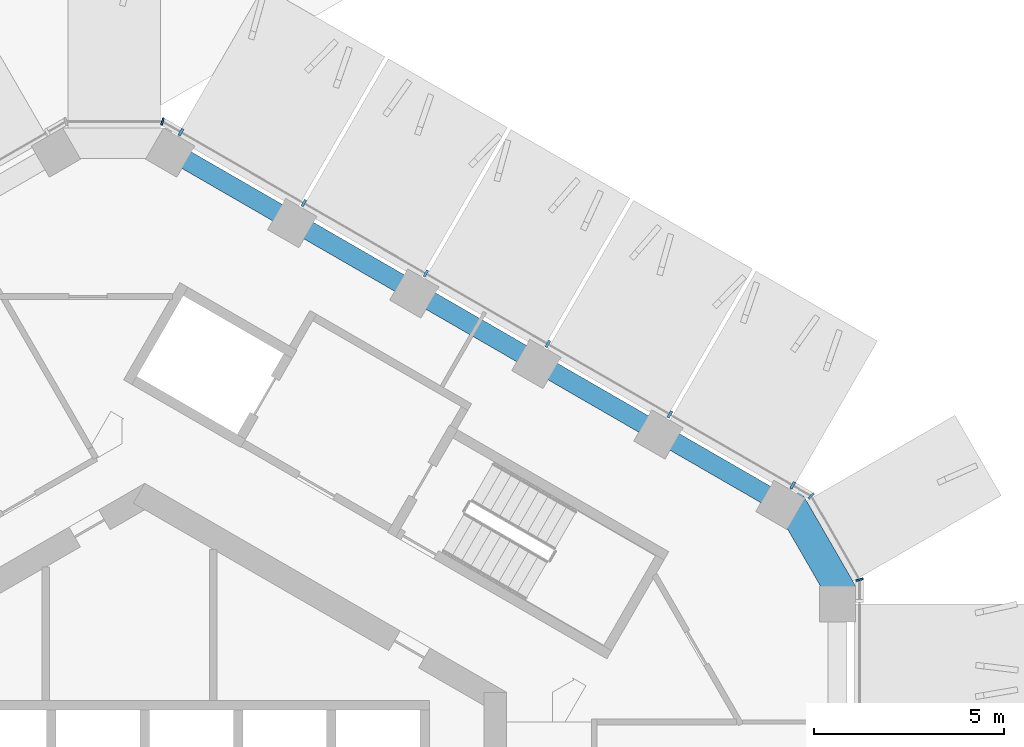
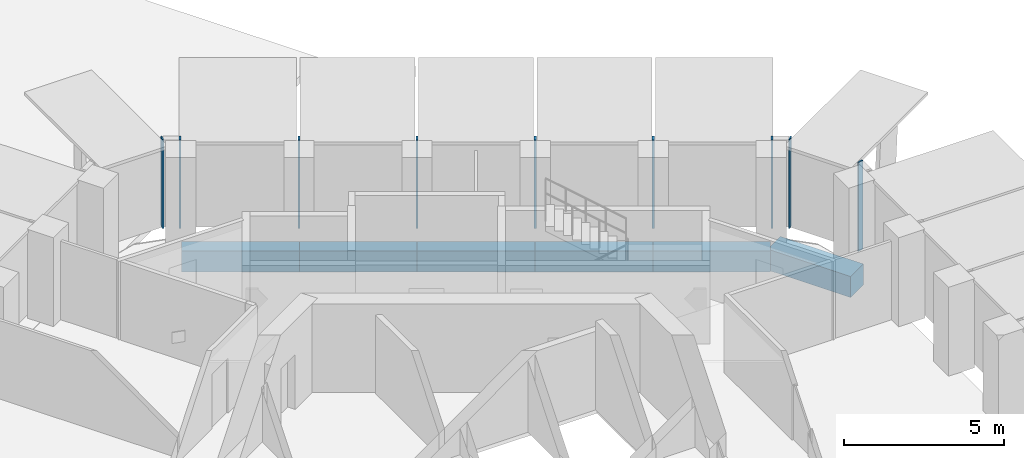
# One storey, part 5 of 23: 9 members, 6 beams, 3 elements without a shape of their own.
"""IFC4 building model written with IfcOpenShell, lengths in metres."""

import ifcopenshell
import ifcopenshell.guid

model = None  # the IFC model being written
_history = None  # IfcOwnerHistory: only IFC2X3 demands one
_inside = {}  # id of a spatial element -> (the spatial element, [elements in it])
_under = {}  # id of a project, library or spatial element -> (it, [spatial elements below it])
_declared = {}  # id of a project -> (the project, [libraries it declares])
_typed = {}  # id of a type object -> (the type object, [elements of that type])
_made_of = {}  # id of a material, layer set ... -> (it, [elements and type objects made of it])


def new_model(schema):
    """Start an empty IFC model of exactly this schema.

    Asked for "IFC4X3", IfcOpenShell would pick the latest addendum, in which some entities
    have other attributes; the version numbers below select the first issue.
    IFC2X3 requires an IfcOwnerHistory on every rooted entity: one is made here for all.
    """
    global model, _history
    if schema == "IFC4X3":
        model = ifcopenshell.file(schema_version=(4, 3, 0, 0))
    else:
        model = ifcopenshell.file(schema=schema)
    _inside.clear()
    _under.clear()
    _declared.clear()
    _typed.clear()
    _made_of.clear()
    _history = None
    if model.schema == "IFC2X3":
        org = make("IfcOrganization", Name="unknown")
        user = make(
            "IfcPersonAndOrganization",
            ThePerson=make("IfcPerson", FamilyName="unknown"),
            TheOrganization=org,
        )
        app = make(
            "IfcApplication",
            ApplicationDeveloper=org,
            Version="unknown",
            ApplicationFullName="unknown",
            ApplicationIdentifier="unknown",
        )
        _history = make(
            "IfcOwnerHistory",
            OwningUser=user,
            OwningApplication=app,
            ChangeAction="ADDED",
            CreationDate=0,
        )
    return model


def make(cls, **values):
    """One entity of the class cls with the attributes given. An attribute that is None is left unset."""
    return model.create_entity(
        cls, **{name: value for name, value in values.items() if value is not None}
    )


def rooted(cls, **values):
    """An entity with a GlobalId (a new one), such as an element, a storey or a relation."""
    return make(cls, GlobalId=ifcopenshell.guid.new(), OwnerHistory=_history, **values)


def si_unit(unit_type, name, prefix=None):
    """IfcSIUnit, for example si_unit("LENGTHUNIT", "METRE", prefix="MILLI")."""
    return make("IfcSIUnit", UnitType=unit_type, Prefix=prefix, Name=name)


def assignment(units):
    """IfcUnitAssignment: the units of a project."""
    return None if units is None else make("IfcUnitAssignment", Units=units)


def point(xyz):
    """IfcCartesianPoint."""
    return None if xyz is None else make("IfcCartesianPoint", Coordinates=xyz)


def direction(xyz):
    """IfcDirection."""
    return None if xyz is None else make("IfcDirection", DirectionRatios=xyz)


def frame(location, z_axis=None, x_axis=None):
    """IfcAxis2Placement3D, a coordinate frame: its origin and axes. An axis left out is left unset."""
    return make(
        "IfcAxis2Placement3D",
        Location=point(location),
        Axis=direction(z_axis),
        RefDirection=direction(x_axis),
    )


def frame_2d(location, x_axis=None):
    """IfcAxis2Placement2D, a coordinate frame in the plane: its origin and x axis."""
    return make(
        "IfcAxis2Placement2D", Location=point(location), RefDirection=direction(x_axis)
    )


def origin():
    """The frame at (0, 0, 0) with its axes left unset."""
    return frame((0.0, 0.0, 0.0))


def origin_2d():
    """The frame at (0, 0) in the plane with its x axis left unset."""
    return frame_2d((0.0, 0.0))


def place(relative_to, where):
    """IfcLocalPlacement: puts the frame where relative to a parent placement (None: the world)."""
    return make(
        "IfcLocalPlacement", PlacementRelTo=relative_to, RelativePlacement=where
    )


def context(
    kind, dimensions, precision=None, world=None, true_north=None, identifier=None
):
    """IfcGeometricRepresentationContext, for example the 3D "Model" context."""
    return make(
        "IfcGeometricRepresentationContext",
        ContextIdentifier=identifier,
        ContextType=kind,
        CoordinateSpaceDimension=dimensions,
        Precision=precision,
        WorldCoordinateSystem=world,
        TrueNorth=true_north,
    )


def subcontext(parent, identifier, kind, view, scale=None):
    """IfcGeometricRepresentationSubContext, for example "Body" below "Model"."""
    return make(
        "IfcGeometricRepresentationSubContext",
        ContextIdentifier=identifier,
        ContextType=kind,
        ParentContext=parent,
        TargetScale=scale,
        TargetView=view,
    )


def project(units=None, contexts=None):
    """IfcProject with its units and contexts."""
    return rooted(
        "IfcProject",
        Name="project",
        RepresentationContexts=contexts,
        UnitsInContext=assignment(units),
    )


def spatial(cls, under=None, at=None, **own):
    """A site, building, storey or space (cls), placed at a placement, below another one or the project."""
    s = rooted(cls, ObjectPlacement=at, **own)
    if under is not None:
        _under.setdefault(under.id(), (under, []))[1].append(s)
    return s


def profile(cls, at=None, kind="AREA", **sizes):
    """A parametric profile (cls). Its sizes go by their IFC names, for example OverallWidth=200.0."""
    return make(cls, ProfileType=kind, Position=at, **sizes)


def rectangle(**sizes):
    """IfcRectangleProfileDef."""
    return profile("IfcRectangleProfileDef", **sizes)


def extrude(swept, where, along, depth):
    """IfcExtrudedAreaSolid: the profile swept, set in the frame where, extruded along a direction by depth."""
    return make(
        "IfcExtrudedAreaSolid",
        SweptArea=swept,
        Position=where,
        ExtrudedDirection=direction(along),
        Depth=depth,
    )


def shape(context_of_items, identifier, shape_type, items):
    """IfcShapeRepresentation: the items that make up one representation, for example the "Body"."""
    return make(
        "IfcShapeRepresentation",
        ContextOfItems=context_of_items,
        RepresentationIdentifier=identifier,
        RepresentationType=shape_type,
        Items=items,
    )


def material(Name=None, Category=None):
    """IfcMaterial."""
    return make("IfcMaterial", Name=Name, Category=Category)


def layer(
    of_material, thickness, ventilated=None, Name=None, Category=None, Priority=None
):
    """IfcMaterialLayer: one layer of a wall or slab, of a material (None: an air gap)."""
    return make(
        "IfcMaterialLayer",
        Material=of_material,
        LayerThickness=thickness,
        IsVentilated=ventilated,
        Name=Name,
        Category=Category,
        Priority=Priority,
    )


def layer_set(layers, Name=None):
    """IfcMaterialLayerSet."""
    return make("IfcMaterialLayerSet", MaterialLayers=layers, LayerSetName=Name)


def material_profile(
    of_material, cross_section, Name=None, Category=None, Priority=None
):
    """IfcMaterialProfile: a cross section and its material."""
    return make(
        "IfcMaterialProfile",
        Name=Name,
        Material=of_material,
        Profile=cross_section,
        Priority=Priority,
        Category=Category,
    )


def profile_set(profiles, Name=None, composite=None):
    """IfcMaterialProfileSet."""
    return make(
        "IfcMaterialProfileSet",
        Name=Name,
        MaterialProfiles=profiles,
        CompositeProfile=composite,
    )


def made_of(thing, what):
    """Note that an element or type object is made of a material, layer set ...; save() writes the relation."""
    if what is not None:
        _made_of.setdefault(what.id(), (what, []))[1].append(thing)
    return thing


def type_object(cls, material=None, **own):
    """A type object (cls), such as IfcWallType, which elements share."""
    return made_of(rooted(cls, **own), material)


def element(
    cls,
    number,
    at=None,
    inside=None,
    cuts=None,
    type_object=None,
    material=None,
    context=None,
    identifier="Body",
    shape_type=None,
    held_by="IfcProductDefinitionShape",
    body=None,
    shapes=None,
    **own,
):
    """One element of the class cls, such as IfcWall. Its Tag is "e" and its number.

    at: its placement. inside: the storey or other place that contains it. cuts: it is an
    opening in that element (IfcRelVoidsElement). A single representation is given by context,
    identifier, shape_type and body (its items); several are given by shapes. held_by: the class
    of the entity that holds the representations. save() writes the other relations.
    """
    e = rooted(cls, Tag="e%d" % number, ObjectPlacement=at, **own)
    if body is not None:
        shapes = [shape(context, identifier, shape_type, body)]
    if shapes is not None:
        e.Representation = make(held_by, Representations=shapes)
    if inside is not None:
        _inside.setdefault(inside.id(), (inside, []))[1].append(e)
    if cuts is not None:
        rooted(
            "IfcRelVoidsElement", RelatingBuildingElement=cuts, RelatedOpeningElement=e
        )
    if type_object is not None:
        _typed.setdefault(type_object.id(), (type_object, []))[1].append(e)
    return made_of(e, material)


def aggregate(whole, parts):
    """IfcRelAggregates: a whole, such as a stair, and the parts it consists of."""
    return rooted("IfcRelAggregates", RelatingObject=whole, RelatedObjects=parts)


def save(model, path):
    """Write the relations noted so far, then the file.

    IfcRelAggregates (storeys below a building ...), IfcRelContainedInSpatialStructure (elements
    in a storey), IfcRelDefinesByType, IfcRelAssociatesMaterial and IfcRelDeclares: one each for
    every whole, place, type object, material and project.
    """
    for whole, parts in _under.values():
        aggregate(whole, parts)
    for where, things in _inside.values():
        rooted(
            "IfcRelContainedInSpatialStructure",
            RelatedElements=things,
            RelatingStructure=where,
        )
    for kind, things in _typed.values():
        rooted("IfcRelDefinesByType", RelatedObjects=things, RelatingType=kind)
    for what, things in _made_of.values():
        rooted("IfcRelAssociatesMaterial", RelatedObjects=things, RelatingMaterial=what)
    for by, libraries in _declared.values():
        rooted("IfcRelDeclares", RelatingContext=by, RelatedDefinitions=libraries)
    model.write(path)


model = new_model("IFC4")

# Units and contexts
model_context = context("Model", 3, precision=1e-05, world=origin(), true_north=direction((0.0, 1.0)))
body_context = subcontext(model_context, "Body", "Model", "MODEL_VIEW")
ifc_project = project(units=[si_unit("LENGTHUNIT", "METRE"), si_unit("AREAUNIT", "SQUARE_METRE"), si_unit("VOLUMEUNIT", "CUBIC_METRE"), si_unit("PLANEANGLEUNIT", "RADIAN"), si_unit("MASSUNIT", "GRAM", prefix="KILO")], contexts=[model_context])

# Site, building, storey
site_placement = place(None, origin())
site = spatial("IfcSite", under=ifc_project, at=site_placement, CompositionType="ELEMENT")
building_placement = place(site_placement, origin())
building = spatial("IfcBuilding", under=site, at=building_placement, Name="Ayvan Gate Tower", CompositionType="ELEMENT")
storey_placement = place(building_placement, frame((0.0, 0.0, 198.699951171875)))
storey = spatial("IfcBuildingStorey", under=building, at=storey_placement, Name="L53", CompositionType="ELEMENT", Elevation=198.699951171875)

# Beams
ifc_material_1 = material(Name="Concrete C40/50", Category="concrete")
ifc_material_profile_1 = material_profile(ifc_material_1, rectangle(XDim=0.800048828125, YDim=0.800048828125, at=origin_2d()), Name="RC 800x800")
ifc_profile_set_1 = profile_set([ifc_material_profile_1], Name="Concrete C40/50")
beam_type_1 = type_object("IfcBeamType", Name="Corner spandrel beam RC 800x800 C40/50", PredefinedType="BEAM", material=ifc_profile_set_1)
beam_1_placement = place(storey_placement, frame((18.376953125, 7.9658203125, -0.75), z_axis=(-0.499990139034, 0.866031096941, 0.0), x_axis=(-0.866031096941, -0.499990139034, 0.0)))
element("IfcBeam", 1, at=beam_1_placement, inside=storey, type_object=beam_type_1, Name="SB-L53-6", PredefinedType="BEAM", context=body_context, shape_type="SweptSolid", body=[
    extrude(rectangle(XDim=0.800048828125, YDim=0.800048828125, at=origin_2d()), origin(), (0.0, 0.0, 1.0), 3.0),
])
ifc_material_profile_2 = material_profile(ifc_material_1, rectangle(XDim=0.5, YDim=0.800048828125, at=origin_2d()), Name="RC 500x800")
ifc_profile_set_2 = profile_set([ifc_material_profile_2], Name="Concrete C40/50")
beam_type_2 = type_object("IfcBeamType", Name="Spandrel beam RC 500x800 C40/50", PredefinedType="BEAM", material=ifc_profile_set_2)
for number, where, z_axis, x_axis, name in (
    (2, (16.6865234375, 10.4541015625, -0.75), (-0.866035727774, 0.499982117899, 0.0), (-0.499982117899, -0.866035727774, 0.0), "SB-L53-7"),
    (3, (13.4912109375, 12.298828125, -0.75), (-0.866035727774, 0.499982117899, 0.0), (-0.499982117899, -0.866035727774, 0.0), "SB-L53-8"),
):
    element("IfcBeam", number, at=place(storey_placement, frame(where, z_axis=z_axis, x_axis=x_axis)), inside=storey, type_object=beam_type_2, Name=name, PredefinedType="BEAM", context=body_context, shape_type="SweptSolid", body=[
        extrude(rectangle(XDim=0.5, YDim=0.800048828125, at=origin_2d()), origin(), (0.0, 0.0, 1.0), 3.689697265625),
    ])
beam_2_placement = place(storey_placement, frame((10.2958984375, 14.1435546875, -0.75), z_axis=(-0.866019184983, 0.500010771126, 0.0), x_axis=(-0.500010771126, -0.866019184983, 0.0)))
element("IfcBeam", 4, at=beam_2_placement, inside=storey, type_object=beam_type_2, Name="SB-L53-9", PredefinedType="BEAM", context=body_context, shape_type="SweptSolid", body=[
    extrude(rectangle(XDim=0.5, YDim=0.800048828125, at=origin_2d()), origin(), (0.0, 0.0, 1.0), 3.689453125),
])
for number, where, z_axis, x_axis, name in (
    (5, (7.100830078125, 15.98828125, -0.75), (-0.866007075441, 0.500031744278, 0.0), (-0.500031744278, -0.866007075441, 0.0), "SB-L53-10"),
    (6, (3.905517578125, 17.833251953125, -0.75), (-0.866035727774, 0.499982117899, 0.0), (-0.499982117899, -0.866035727774, 0.0), "SB-L53-11"),
):
    element("IfcBeam", number, at=place(storey_placement, frame(where, z_axis=z_axis, x_axis=x_axis)), inside=storey, type_object=beam_type_2, Name=name, PredefinedType="BEAM", context=body_context, shape_type="SweptSolid", body=[
        extrude(rectangle(XDim=0.5, YDim=0.800048828125, at=origin_2d()), origin(), (0.0, 0.0, 1.0), 3.689697265625),
    ])

# Curtain wall, members
ifc_material_2 = material(Name="Bronze anodised aluminium", Category="aluminium")
ifc_layer_1 = layer(ifc_material_2, 0.199951171875)
ifc_layer_set_1 = layer_set([ifc_layer_1], Name="Bronze anodised aluminium")
curtain_wall_type_1 = type_object("IfcCurtainWallType", Name="Stick curtain wall CW-2", PredefinedType="NOTDEFINED", material=ifc_layer_set_1)
curtain_wall_1_placement = place(storey_placement, origin())
curtain_wall_1 = element("IfcCurtainWall", 7, at=curtain_wall_1_placement, inside=storey, type_object=curtain_wall_type_1, Name="Stick curtain wall CW-2 L53", PredefinedType="NOTDEFINED")
ifc_material_profile_3 = material_profile(ifc_material_2, rectangle(XDim=0.199951171875, YDim=0.070068359375, at=origin_2d()), Name="Stick curtain wall CW-2 mullion 200 x 70")
ifc_profile_set_3 = profile_set([ifc_material_profile_3], Name="Bronze anodised aluminium")
member_type_1 = type_object("IfcMemberType", Name="Stick curtain wall CW-2 mullion 200 x 70", PredefinedType="MULLION", material=ifc_profile_set_3)
member_1_placement = place(storey_placement, frame((17.00927734375, 10.91650390625, 0.0), z_axis=(0.0, 0.0, 1.0), x_axis=(0.5, 0.866025403784, 0.0)))
member_1 = element("IfcMember", 8, at=member_1_placement, type_object=member_type_1, Name="CW-2 mullion 1", PredefinedType="MULLION", context=body_context, shape_type="SweptSolid", body=[
    extrude(rectangle(XDim=0.199951171875, YDim=0.070068359375, at=origin_2d()), origin(), (0.0, 0.0, 1.0), 3.400146484375),
])
member_2_placement = place(storey_placement, frame((13.78515625, 12.778076171875, 0.0), z_axis=(0.0, 0.0, 1.0), x_axis=(0.5, 0.866025403784, 0.0)))
member_2 = element("IfcMember", 9, at=member_2_placement, type_object=member_type_1, Name="CW-2 mullion 2", PredefinedType="MULLION", context=body_context, shape_type="SweptSolid", body=[
    extrude(rectangle(XDim=0.199951171875, YDim=0.070068359375, at=origin_2d()), origin(), (0.0, 0.0, 1.0), 3.400146484375),
])
member_3_placement = place(storey_placement, frame((10.58154296875, 14.62744140625, 0.0), z_axis=(0.0, 0.0, 1.0), x_axis=(0.5, 0.866025403784, 0.0)))
member_3 = element("IfcMember", 10, at=member_3_placement, type_object=member_type_1, Name="CW-2 mullion 3", PredefinedType="MULLION", context=body_context, shape_type="SweptSolid", body=[
    extrude(rectangle(XDim=0.199951171875, YDim=0.070068359375, at=origin_2d()), origin(), (0.0, 0.0, 1.0), 3.400146484375),
])
member_4_placement = place(storey_placement, frame((7.37744140625, 16.4775390625, 0.0), z_axis=(0.0, 0.0, 1.0), x_axis=(0.5, 0.866025403784, 0.0)))
member_4 = element("IfcMember", 11, at=member_4_placement, type_object=member_type_1, Name="CW-2 mullion 4", PredefinedType="MULLION", context=body_context, shape_type="SweptSolid", body=[
    extrude(rectangle(XDim=0.199951171875, YDim=0.070068359375, at=origin_2d()), origin(), (0.0, 0.0, 1.0), 3.400146484375),
])
member_5_placement = place(storey_placement, frame((4.173828125, 18.326904296875, 0.0), z_axis=(0.0, 0.0, 1.0), x_axis=(0.5, 0.866025403784, 0.0)))
member_5 = element("IfcMember", 12, at=member_5_placement, type_object=member_type_1, Name="CW-2 mullion 5", PredefinedType="MULLION", context=body_context, shape_type="SweptSolid", body=[
    extrude(rectangle(XDim=0.199951171875, YDim=0.070068359375, at=origin_2d()), origin(), (0.0, 0.0, 1.0), 3.400146484375),
])
member_6_placement = place(storey_placement, frame((0.94921875, 20.188720703125, 0.0), z_axis=(0.0, 0.0, 1.0), x_axis=(0.5, 0.866025403784, 0.0)))
member_6 = element("IfcMember", 13, at=member_6_placement, type_object=member_type_1, Name="CW-2 mullion 6", PredefinedType="MULLION", context=body_context, shape_type="SweptSolid", body=[
    extrude(rectangle(XDim=0.199951171875, YDim=0.070068359375, at=origin_2d()), origin(), (0.0, 0.0, 1.0), 3.400146484375),
])
aggregate(curtain_wall_1, [member_1, member_2, member_3, member_4, member_5, member_6])

ifc_layer_2 = layer(ifc_material_2, 0.199951171875)
ifc_layer_set_2 = layer_set([ifc_layer_2], Name="Bronze anodised aluminium")
curtain_wall_type_2 = type_object("IfcCurtainWallType", Name="Stick curtain wall CW-6", PredefinedType="NOTDEFINED", material=ifc_layer_set_2)
curtain_wall_2_placement = place(storey_placement, origin())
curtain_wall_2 = element("IfcCurtainWall", 14, at=curtain_wall_2_placement, inside=storey, type_object=curtain_wall_type_2, Name="Stick curtain wall CW-6 L53", PredefinedType="NOTDEFINED")
ifc_material_profile_4 = material_profile(ifc_material_2, rectangle(XDim=0.199951171875, YDim=0.050048828125, at=origin_2d()), Name="Stick curtain wall CW-6 mullion 200 x 50")
ifc_profile_set_4 = profile_set([ifc_material_profile_4], Name="Bronze anodised aluminium")
member_type_2 = type_object("IfcMemberType", Name="Stick curtain wall CW-6 mullion 200 x 50", PredefinedType="MULLION", material=ifc_profile_set_4)
member_7_placement = place(storey_placement, frame((18.761474609375, 8.44140625, 0.0), z_axis=(0.0, 0.0, 1.0), x_axis=(0.965925826289, 0.258819045103, 0.0)))
member_7 = element("IfcMember", 15, at=member_7_placement, type_object=member_type_2, Name="CW-6 mullion 2", PredefinedType="MULLION", context=body_context, shape_type="SweptSolid", body=[
    extrude(rectangle(XDim=0.199951171875, YDim=0.050048828125, at=origin_2d()), origin(), (0.0, 0.0, 1.0), 3.400146484375),
])
member_8_placement = place(storey_placement, frame((17.494140625, 10.636474609375, 0.0), z_axis=(0.0, 0.0, 1.0), x_axis=(0.707106781187, 0.707106781187, 0.0)))
member_8 = element("IfcMember", 16, at=member_8_placement, type_object=member_type_2, Name="CW-6 mullion 3", PredefinedType="MULLION", context=body_context, shape_type="SweptSolid", body=[
    extrude(rectangle(XDim=0.199951171875, YDim=0.050048828125, at=origin_2d()), origin(), (0.0, 0.0, 1.0), 3.400146484375),
])
aggregate(curtain_wall_2, [member_7, member_8])

# Curtain wall, member
curtain_wall_3_placement = place(storey_placement, origin())
curtain_wall_3 = element("IfcCurtainWall", 17, at=curtain_wall_3_placement, inside=storey, type_object=curtain_wall_type_2, Name="Stick curtain wall CW-6 L53", PredefinedType="NOTDEFINED")
member_9_placement = place(storey_placement, frame((0.46435546875, 20.46875, 0.0), z_axis=(0.0, 0.0, 1.0), x_axis=(0.258819045103, 0.965925826289, 0.0)))
member_9 = element("IfcMember", 18, at=member_9_placement, type_object=member_type_2, Name="CW-6 mullion 2", PredefinedType="MULLION", context=body_context, shape_type="SweptSolid", body=[
    extrude(rectangle(XDim=0.199951171875, YDim=0.050048828125, at=origin_2d()), origin(), (0.0, 0.0, 1.0), 3.400146484375),
])
aggregate(curtain_wall_3, [member_9])

save(model, "model.ifc")
